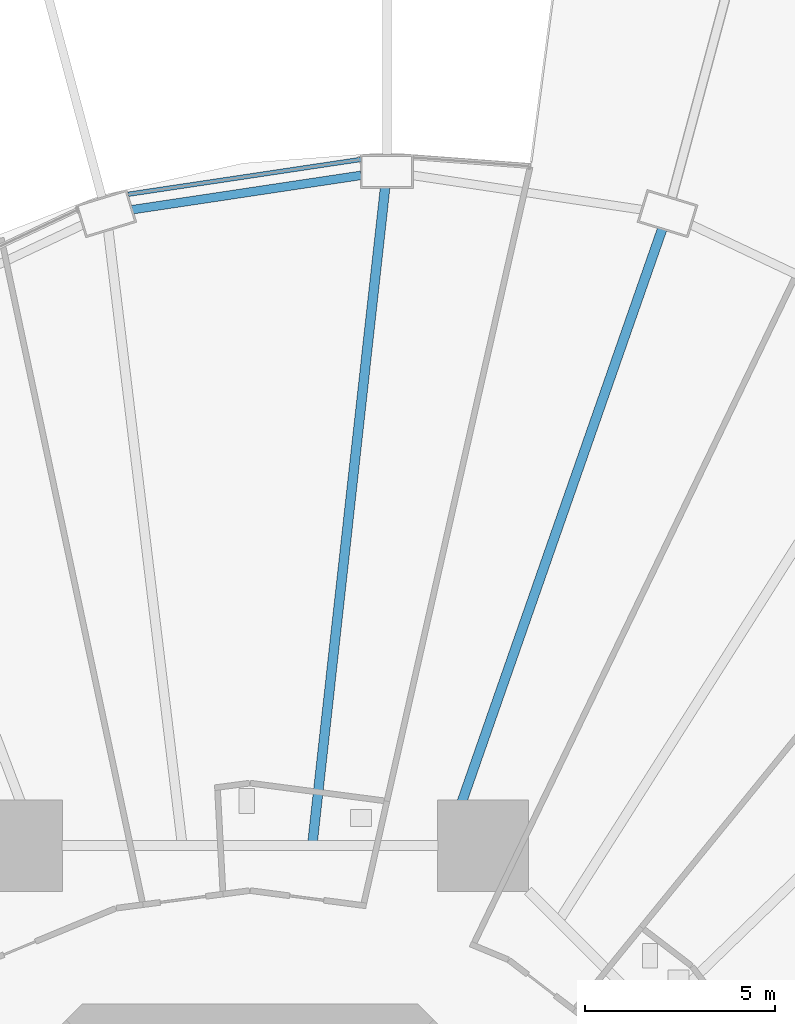
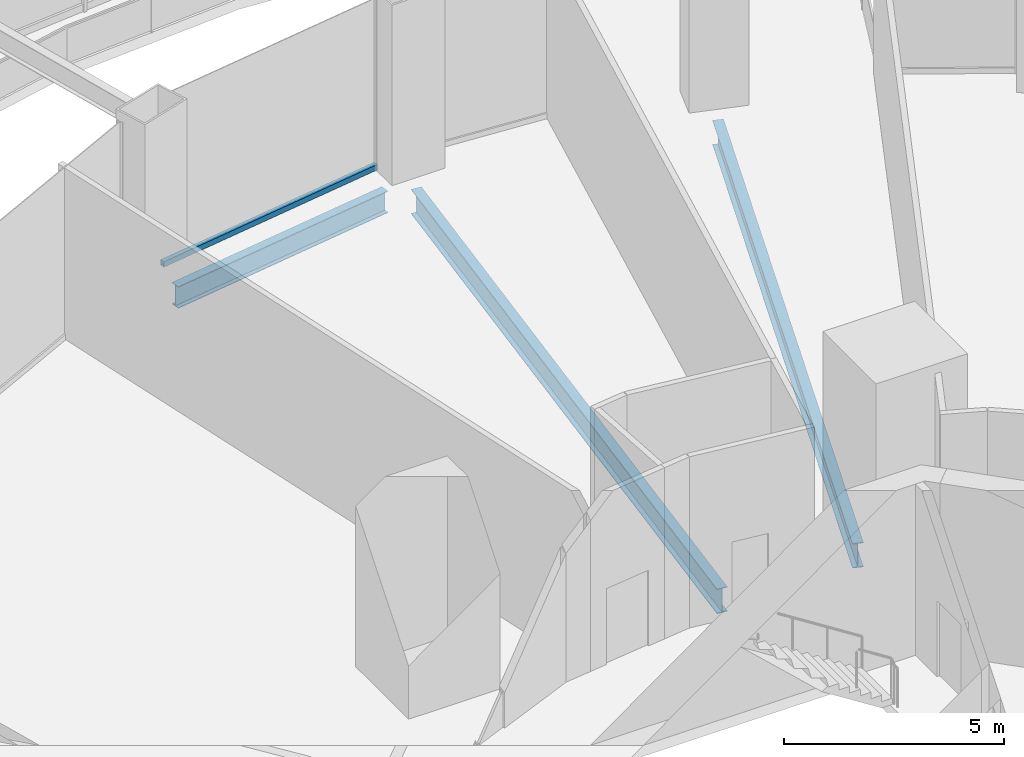
# One storey, part 35 of 52: 3 beams, 1 member, 1 element without a shape of its own.
"""IFC4 building model written with IfcOpenShell, lengths in metres."""

from ifc_helpers import new_model, si_unit, direction, frame, origin, origin_2d, place, context, subcontext, project, spatial, hollow_rectangle, i_section, extrude, material, layer, layer_set, material_profile, profile_set, type_object, element, aggregate, save


model = new_model("IFC4")

# Units and contexts
model_context = context("Model", 3, precision=1e-05, world=origin(), true_north=direction((0.0, 1.0)))
body_context = subcontext(model_context, "Body", "Model", "MODEL_VIEW")
ifc_project = project(units=[si_unit("LENGTHUNIT", "METRE"), si_unit("AREAUNIT", "SQUARE_METRE"), si_unit("VOLUMEUNIT", "CUBIC_METRE"), si_unit("PLANEANGLEUNIT", "RADIAN"), si_unit("MASSUNIT", "GRAM", prefix="KILO")], contexts=[model_context])

# Site, building, storey
site_placement = place(None, origin())
site = spatial("IfcSite", under=ifc_project, at=site_placement, CompositionType="ELEMENT")
building_placement = place(site_placement, origin())
building = spatial("IfcBuilding", under=site, at=building_placement, Name="Nagisa Residences", CompositionType="ELEMENT")
storey_placement = place(building_placement, frame((0.0, 0.0, 22.0)))
storey = spatial("IfcBuildingStorey", under=building, at=storey_placement, Name="L04", CompositionType="ELEMENT", Elevation=22.0)

# Curtain wall, member
ifc_material_1 = material(Name="Stainless steel curtain wall system", Category="steel")
ifc_layer = layer(ifc_material_1, 0.159912109375)
ifc_layer_set = layer_set([ifc_layer], Name="CW6 CURTAIN WALL")
curtain_wall_type = type_object("IfcCurtainWallType", Name="CW6 CURTAIN WALL", PredefinedType="NOTDEFINED", material=ifc_layer_set)
curtain_wall_placement = place(storey_placement, origin())
curtain_wall = element("IfcCurtainWall", 1, at=curtain_wall_placement, inside=storey, type_object=curtain_wall_type, Name="cw:CW6:L04:12", PredefinedType="NOTDEFINED")
ifc_material_2 = material(Name="Stainless steel", Category="steel")
ifc_material_profile_1 = material_profile(ifc_material_2, hollow_rectangle(XDim=0.1201171875, YDim=0.14990234375, WallThickness=0.008056640625, at=origin_2d()), Name="CW6 TRANSOM 120x150")
ifc_profile_set_1 = profile_set([ifc_material_profile_1], Name="Stainless steel")
member_type = type_object("IfcMemberType", Name="CW6 TRANSOM 120x150", PredefinedType="USERDEFINED", material=ifc_profile_set_1)
member_placement = place(storey_placement, frame((2.919677734375, 32.817138671875, 0.074951171875), z_axis=(-0.988964976725, -0.148149501559, 0.0), x_axis=(0.148149501559, -0.988964976725, 0.0)))
member = element("IfcMember", 2, at=member_placement, type_object=member_type, Name="CW6 transom", ObjectType="TRANSOM", PredefinedType="USERDEFINED", context=body_context, shape_type="SweptSolid", body=[
    extrude(hollow_rectangle(XDim=0.1201171875, YDim=0.14990234375, WallThickness=0.008056640625, at=origin_2d()), origin(), (0.0, 0.0, 1.0), 6.189697265625),
])
aggregate(curtain_wall, [member])

# Beams
ifc_material_3 = material(Name="Steel ASTM A572 Gr 50", Category="steel")
ifc_material_profile_2 = material_profile(ifc_material_3, i_section(OverallWidth=0.22802734375, OverallDepth=0.60302734375, WebThickness=0.010498046875, FlangeThickness=0.014892578125, at=origin_2d()), Name="W610x101")
ifc_profile_set_2 = profile_set([ifc_material_profile_2], Name="Steel ASTM A572 Gr 50")
beam_type_1 = type_object("IfcBeamType", Name="Perimeter ring beam W610x101", PredefinedType="BEAM", material=ifc_profile_set_2)
beam_1_placement = place(storey_placement, frame((2.919677734375, 32.39794921875, -0.6015625), z_axis=(-0.988914559467, -0.14848566959, 0.0), x_axis=(0.14848566959, -0.988914559467, 0.0)))
element("IfcBeam", 3, at=beam_1_placement, inside=storey, type_object=beam_type_1, Name="beam:L04:pb07", PredefinedType="BEAM", context=body_context, shape_type="SweptSolid", body=[
    extrude(i_section(OverallWidth=0.22802734375, OverallDepth=0.60302734375, WebThickness=0.010498046875, FlangeThickness=0.014892578125, at=origin_2d()), origin(), (0.0, 0.0, 1.0), 6.08349609375),
])
ifc_material_4 = material(Name="Steel ASTM A572 Gr 50", Category="steel")
ifc_material_profile_3 = material_profile(ifc_material_4, i_section(OverallWidth=0.25390625, OverallDepth=0.68408203125, WebThickness=0.012451171875, FlangeThickness=0.018798828125, at=origin_2d()), Name="W690x140")
ifc_profile_set_3 = profile_set([ifc_material_profile_3], Name="Steel ASTM A572 Gr 50")
beam_type_2 = type_object("IfcBeamType", Name="Radial beam W690x140", PredefinedType="BEAM", material=ifc_profile_set_3)
beam_2_placement = place(storey_placement, frame((10.834228515625, 30.986328125, -0.64208984375), z_axis=(-0.330051195485, -0.943963033364, 0.0), x_axis=(0.943963033364, -0.330051195485, 0.0)))
element("IfcBeam", 4, at=beam_2_placement, inside=storey, type_object=beam_type_2, Name="beam:L04:rb06", PredefinedType="BEAM", context=body_context, shape_type="SweptSolid", body=[
    extrude(i_section(OverallWidth=0.25390625, OverallDepth=0.68408203125, WebThickness=0.012451171875, FlangeThickness=0.018798828125, at=origin_2d()), origin(), (0.0, 0.0, 1.0), 17.045654296875),
])
beam_3_placement = place(storey_placement, frame((3.55224609375, 32.06982421875, -0.64208984375), z_axis=(-0.110088818647, -0.993921753464, 0.0), x_axis=(0.993921753464, -0.110088818647, 0.0)))
element("IfcBeam", 5, at=beam_3_placement, inside=storey, type_object=beam_type_2, Name="beam:L04:rb07", PredefinedType="BEAM", context=body_context, shape_type="SweptSolid", body=[
    extrude(i_section(OverallWidth=0.25390625, OverallDepth=0.68408203125, WebThickness=0.012451171875, FlangeThickness=0.018798828125, at=origin_2d()), origin(), (0.0, 0.0, 1.0), 17.280029296875),
])

save(model, "model.ifc")
